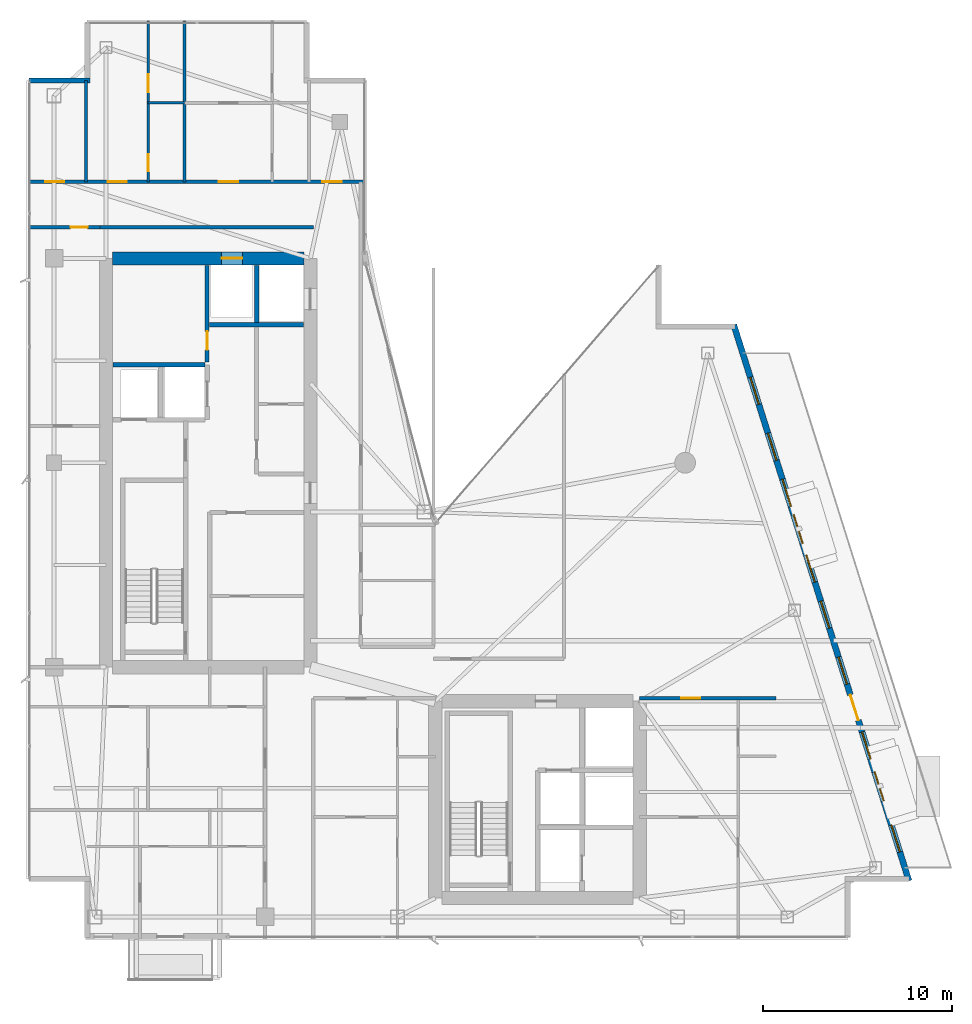
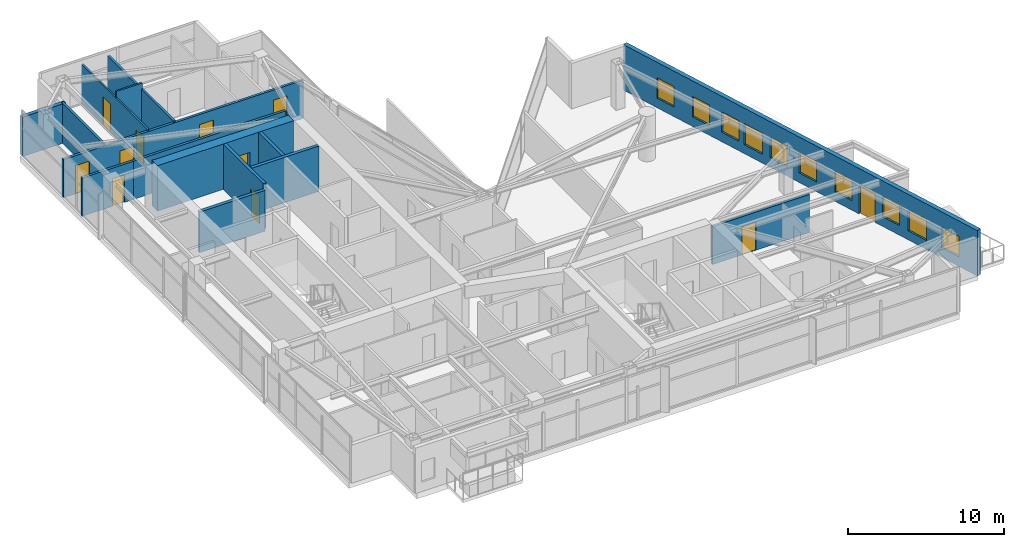
# One storey, part 25 of 28: 15 walls, 11 doors, 10 windows, 21 openings.
"""IFC4 building model written with IfcOpenShell, lengths in metres."""

import ifcopenshell
import ifcopenshell.guid

model = None  # the IFC model being written
_history = None  # IfcOwnerHistory: only IFC2X3 demands one
_inside = {}  # id of a spatial element -> (the spatial element, [elements in it])
_under = {}  # id of a project, library or spatial element -> (it, [spatial elements below it])
_declared = {}  # id of a project -> (the project, [libraries it declares])
_typed = {}  # id of a type object -> (the type object, [elements of that type])
_made_of = {}  # id of a material, layer set ... -> (it, [elements and type objects made of it])


def new_model(schema):
    """Start an empty IFC model of exactly this schema.

    Asked for "IFC4X3", IfcOpenShell would pick the latest addendum, in which some entities
    have other attributes; the version numbers below select the first issue.
    IFC2X3 requires an IfcOwnerHistory on every rooted entity: one is made here for all.
    """
    global model, _history
    if schema == "IFC4X3":
        model = ifcopenshell.file(schema_version=(4, 3, 0, 0))
    else:
        model = ifcopenshell.file(schema=schema)
    _inside.clear()
    _under.clear()
    _declared.clear()
    _typed.clear()
    _made_of.clear()
    _history = None
    if model.schema == "IFC2X3":
        org = make("IfcOrganization", Name="unknown")
        user = make(
            "IfcPersonAndOrganization",
            ThePerson=make("IfcPerson", FamilyName="unknown"),
            TheOrganization=org,
        )
        app = make(
            "IfcApplication",
            ApplicationDeveloper=org,
            Version="unknown",
            ApplicationFullName="unknown",
            ApplicationIdentifier="unknown",
        )
        _history = make(
            "IfcOwnerHistory",
            OwningUser=user,
            OwningApplication=app,
            ChangeAction="ADDED",
            CreationDate=0,
        )
    return model


def make(cls, **values):
    """One entity of the class cls with the attributes given. An attribute that is None is left unset."""
    return model.create_entity(
        cls, **{name: value for name, value in values.items() if value is not None}
    )


def rooted(cls, **values):
    """An entity with a GlobalId (a new one), such as an element, a storey or a relation."""
    return make(cls, GlobalId=ifcopenshell.guid.new(), OwnerHistory=_history, **values)


def si_unit(unit_type, name, prefix=None):
    """IfcSIUnit, for example si_unit("LENGTHUNIT", "METRE", prefix="MILLI")."""
    return make("IfcSIUnit", UnitType=unit_type, Prefix=prefix, Name=name)


def assignment(units):
    """IfcUnitAssignment: the units of a project."""
    return None if units is None else make("IfcUnitAssignment", Units=units)


def point(xyz):
    """IfcCartesianPoint."""
    return None if xyz is None else make("IfcCartesianPoint", Coordinates=xyz)


def direction(xyz):
    """IfcDirection."""
    return None if xyz is None else make("IfcDirection", DirectionRatios=xyz)


def frame(location, z_axis=None, x_axis=None):
    """IfcAxis2Placement3D, a coordinate frame: its origin and axes. An axis left out is left unset."""
    return make(
        "IfcAxis2Placement3D",
        Location=point(location),
        Axis=direction(z_axis),
        RefDirection=direction(x_axis),
    )


def frame_2d(location, x_axis=None):
    """IfcAxis2Placement2D, a coordinate frame in the plane: its origin and x axis."""
    return make(
        "IfcAxis2Placement2D", Location=point(location), RefDirection=direction(x_axis)
    )


def origin():
    """The frame at (0, 0, 0) with its axes left unset."""
    return frame((0.0, 0.0, 0.0))


def place(relative_to, where):
    """IfcLocalPlacement: puts the frame where relative to a parent placement (None: the world)."""
    return make(
        "IfcLocalPlacement", PlacementRelTo=relative_to, RelativePlacement=where
    )


def context(
    kind, dimensions, precision=None, world=None, true_north=None, identifier=None
):
    """IfcGeometricRepresentationContext, for example the 3D "Model" context."""
    return make(
        "IfcGeometricRepresentationContext",
        ContextIdentifier=identifier,
        ContextType=kind,
        CoordinateSpaceDimension=dimensions,
        Precision=precision,
        WorldCoordinateSystem=world,
        TrueNorth=true_north,
    )


def subcontext(parent, identifier, kind, view, scale=None):
    """IfcGeometricRepresentationSubContext, for example "Body" below "Model"."""
    return make(
        "IfcGeometricRepresentationSubContext",
        ContextIdentifier=identifier,
        ContextType=kind,
        ParentContext=parent,
        TargetScale=scale,
        TargetView=view,
    )


def project(units=None, contexts=None):
    """IfcProject with its units and contexts."""
    return rooted(
        "IfcProject",
        Name="project",
        RepresentationContexts=contexts,
        UnitsInContext=assignment(units),
    )


def spatial(cls, under=None, at=None, **own):
    """A site, building, storey or space (cls), placed at a placement, below another one or the project."""
    s = rooted(cls, ObjectPlacement=at, **own)
    if under is not None:
        _under.setdefault(under.id(), (under, []))[1].append(s)
    return s


def profile(cls, at=None, kind="AREA", **sizes):
    """A parametric profile (cls). Its sizes go by their IFC names, for example OverallWidth=200.0."""
    return make(cls, ProfileType=kind, Position=at, **sizes)


def rectangle(**sizes):
    """IfcRectangleProfileDef."""
    return profile("IfcRectangleProfileDef", **sizes)


def extrude(swept, where, along, depth):
    """IfcExtrudedAreaSolid: the profile swept, set in the frame where, extruded along a direction by depth."""
    return make(
        "IfcExtrudedAreaSolid",
        SweptArea=swept,
        Position=where,
        ExtrudedDirection=direction(along),
        Depth=depth,
    )


def shape(context_of_items, identifier, shape_type, items):
    """IfcShapeRepresentation: the items that make up one representation, for example the "Body"."""
    return make(
        "IfcShapeRepresentation",
        ContextOfItems=context_of_items,
        RepresentationIdentifier=identifier,
        RepresentationType=shape_type,
        Items=items,
    )


def material(Name=None, Category=None):
    """IfcMaterial."""
    return make("IfcMaterial", Name=Name, Category=Category)


def layer(
    of_material, thickness, ventilated=None, Name=None, Category=None, Priority=None
):
    """IfcMaterialLayer: one layer of a wall or slab, of a material (None: an air gap)."""
    return make(
        "IfcMaterialLayer",
        Material=of_material,
        LayerThickness=thickness,
        IsVentilated=ventilated,
        Name=Name,
        Category=Category,
        Priority=Priority,
    )


def layer_set(layers, Name=None):
    """IfcMaterialLayerSet."""
    return make("IfcMaterialLayerSet", MaterialLayers=layers, LayerSetName=Name)


def made_of(thing, what):
    """Note that an element or type object is made of a material, layer set ...; save() writes the relation."""
    if what is not None:
        _made_of.setdefault(what.id(), (what, []))[1].append(thing)
    return thing


def type_object(cls, material=None, **own):
    """A type object (cls), such as IfcWallType, which elements share."""
    return made_of(rooted(cls, **own), material)


def element(
    cls,
    number,
    at=None,
    inside=None,
    cuts=None,
    type_object=None,
    material=None,
    context=None,
    identifier="Body",
    shape_type=None,
    held_by="IfcProductDefinitionShape",
    body=None,
    shapes=None,
    **own,
):
    """One element of the class cls, such as IfcWall. Its Tag is "e" and its number.

    at: its placement. inside: the storey or other place that contains it. cuts: it is an
    opening in that element (IfcRelVoidsElement). A single representation is given by context,
    identifier, shape_type and body (its items); several are given by shapes. held_by: the class
    of the entity that holds the representations. save() writes the other relations.
    """
    e = rooted(cls, Tag="e%d" % number, ObjectPlacement=at, **own)
    if body is not None:
        shapes = [shape(context, identifier, shape_type, body)]
    if shapes is not None:
        e.Representation = make(held_by, Representations=shapes)
    if inside is not None:
        _inside.setdefault(inside.id(), (inside, []))[1].append(e)
    if cuts is not None:
        rooted(
            "IfcRelVoidsElement", RelatingBuildingElement=cuts, RelatedOpeningElement=e
        )
    if type_object is not None:
        _typed.setdefault(type_object.id(), (type_object, []))[1].append(e)
    return made_of(e, material)


def fill(opening, filler):
    """IfcRelFillsElement: the door or window that sits in an opening."""
    return rooted(
        "IfcRelFillsElement",
        RelatingOpeningElement=opening,
        RelatedBuildingElement=filler,
    )


def aggregate(whole, parts):
    """IfcRelAggregates: a whole, such as a stair, and the parts it consists of."""
    return rooted("IfcRelAggregates", RelatingObject=whole, RelatedObjects=parts)


def save(model, path):
    """Write the relations noted so far, then the file.

    IfcRelAggregates (storeys below a building ...), IfcRelContainedInSpatialStructure (elements
    in a storey), IfcRelDefinesByType, IfcRelAssociatesMaterial and IfcRelDeclares: one each for
    every whole, place, type object, material and project.
    """
    for whole, parts in _under.values():
        aggregate(whole, parts)
    for where, things in _inside.values():
        rooted(
            "IfcRelContainedInSpatialStructure",
            RelatedElements=things,
            RelatingStructure=where,
        )
    for kind, things in _typed.values():
        rooted("IfcRelDefinesByType", RelatedObjects=things, RelatingType=kind)
    for what, things in _made_of.values():
        rooted("IfcRelAssociatesMaterial", RelatedObjects=things, RelatingMaterial=what)
    for by, libraries in _declared.values():
        rooted("IfcRelDeclares", RelatingContext=by, RelatedDefinitions=libraries)
    model.write(path)


model = new_model("IFC4")

# Units and contexts
model_context = context("Model", 3, precision=1e-05, world=origin(), true_north=direction((0.0, 1.0)))
body_context = subcontext(model_context, "Body", "Model", "MODEL_VIEW")
ifc_project = project(units=[si_unit("LENGTHUNIT", "METRE"), si_unit("AREAUNIT", "SQUARE_METRE"), si_unit("VOLUMEUNIT", "CUBIC_METRE"), si_unit("PLANEANGLEUNIT", "RADIAN"), si_unit("MASSUNIT", "GRAM", prefix="KILO")], contexts=[model_context])

# Site, building, storey
site_placement = place(None, origin())
site = spatial("IfcSite", under=ifc_project, at=site_placement, CompositionType="ELEMENT")
building_placement = place(site_placement, origin())
building = spatial("IfcBuilding", under=site, at=building_placement, Name="Calvorn Quay Hotel", CompositionType="ELEMENT")
storey_placement = place(building_placement, frame((0.0, 0.0, 243.800048828125)))
storey = spatial("IfcBuildingStorey", under=building, at=storey_placement, Name="L60", CompositionType="ELEMENT", Elevation=243.800048828125)

# Wall, opening, door
ifc_material_1 = material(Name="Concrete C45", Category="concrete")
ifc_layer_1 = layer(ifc_material_1, 0.699951171875)
ifc_layer_set_1 = layer_set([ifc_layer_1], Name="WL-CORE-700")
wall_type_1 = type_object("IfcWallType", Name="WL-CORE-700", PredefinedType="SHEAR", material=ifc_layer_set_1)
wall_1_placement = place(storey_placement, frame((4.550048828125, 38.39990234375, 0.0), z_axis=(0.0, 0.0, 1.0), x_axis=(1.0, 0.0, 0.0)))
wall_1 = element("IfcWall", 1, at=wall_1_placement, inside=storey, type_object=wall_type_1, Name="West Core Shear Wall N (L60)", PredefinedType="SHEAR", context=body_context, shape_type="SweptSolid", body=[
    extrude(rectangle(XDim=10.099853515625, YDim=0.699951171875, at=frame_2d((5.0498046875, 0.0))), origin(), (0.0, 0.0, 1.0), 3.56005859375),
])
opening_1_placement = place(wall_1_placement, frame((5.75, 0.0, 0.0)))
opening_1 = element("IfcOpeningElement", 2, at=opening_1_placement, cuts=wall_1, Name="Opening LD-L60-H2", PredefinedType="OPENING", context=body_context, shape_type="SweptSolid", body=[
    extrude(rectangle(XDim=1.10009765625, YDim=2.199951171875, at=frame_2d((0.550048828125, 1.10009765625))), frame((0.0, 0.35986328125, 0.0), z_axis=(0.0, -1.0, 0.0), x_axis=(1.0, 0.0, 0.0)), (0.0, 0.0, 1.0), 0.719970703125),
])
ifc_material_2 = material(Name="Brushed Stainless Steel Sliding Lift Landing Door", Category="steel")
door_type_1 = type_object("IfcDoorType", Name="DR-LIFT-PASS-1100", OperationType="NOTDEFINED", PredefinedType="DOOR", material=ifc_material_2)
door_1_placement = place(opening_1_placement, origin())
door_1 = element("IfcDoor", 3, at=door_1_placement, inside=storey, type_object=door_type_1, Name="High-Rise Lift PL-H2 Landing Door (L60)", OperationType="DOUBLE_DOOR_SLIDING", OverallHeight=2.199951171875, OverallWidth=1.10009765625, PredefinedType="DOOR", context=body_context, shape_type="SweptSolid", body=[
    extrude(rectangle(XDim=1.10009765625, YDim=2.199951171875, at=frame_2d((0.550048828125, 1.10009765625))), frame((0.0, 0.02490234375, 0.0), z_axis=(0.0, -1.0, 0.0), x_axis=(1.0, 0.0, 0.0)), (0.0, 0.0, 1.0), 0.050048828125),
])
fill(opening_1, door_1)

ifc_material_3 = material(Name="Acoustic Fireboard Steel-Stud Partition", Category="steel")
ifc_layer_2 = layer(ifc_material_3, 0.179931640625)
ifc_layer_set_2 = layer_set([ifc_layer_2], Name="WL-CORR-FIRE-180")
wall_type_2 = type_object("IfcWallType", Name="WL-CORR-FIRE-180", PredefinedType="PARTITIONING", material=ifc_layer_set_2)
wall_2_placement = place(storey_placement, frame((0.080078125, 40.050048828125, 0.0), z_axis=(0.0, 0.0, 1.0), x_axis=(1.0, 0.0, 0.0)))
wall_2 = element("IfcWall", 4, at=wall_2_placement, inside=storey, type_object=wall_type_2, Name="Partition Wall L60-WL-WBAY-N-DOOR", PredefinedType="PARTITIONING", context=body_context, shape_type="SweptSolid", body=[
    extrude(rectangle(XDim=3.7998046875, YDim=0.179931640625, at=frame_2d((1.89990234375, 0.0))), origin(), (0.0, 0.0, 1.0), 2.989990234375),
])
opening_2_placement = place(wall_2_placement, frame((2.25, 0.0, 0.0)))
opening_2 = element("IfcOpeningElement", 5, at=opening_2_placement, cuts=wall_2, Name="Opening D-L60-WBN", PredefinedType="OPENING", context=body_context, shape_type="SweptSolid", body=[
    extrude(rectangle(XDim=0.89990234375, YDim=2.14990234375, at=frame_2d((0.449951171875, 1.074951171875))), frame((0.0, 0.099853515625, 0.0), z_axis=(0.0, -1.0, 0.0), x_axis=(1.0, 0.0, 0.0)), (0.0, 0.0, 1.0), 0.199951171875),
])
ifc_material_4 = material(Name="Moisture-Sealed Timber En-Suite Door", Category="wood")
door_type_2 = type_object("IfcDoorType", Name="DR-ENSUITE-900", OperationType="NOTDEFINED", PredefinedType="DOOR", material=ifc_material_4)
door_2_placement = place(opening_2_placement, origin())
door_2 = element("IfcDoor", 6, at=door_2_placement, inside=storey, type_object=door_type_2, Name="West North Bay Door (L60)", OperationType="SINGLE_SWING_LEFT", OverallHeight=2.14990234375, OverallWidth=0.89990234375, PredefinedType="DOOR", context=body_context, shape_type="SweptSolid", body=[
    extrude(rectangle(XDim=0.89990234375, YDim=2.14990234375, at=frame_2d((0.449951171875, 1.074951171875))), frame((0.0, 0.02490234375, 0.0), z_axis=(0.0, -1.0, 0.0), x_axis=(1.0, 0.0, 0.0)), (0.0, 0.0, 1.0), 0.050048828125),
])
fill(opening_2, door_2)

# Wall, openings, doors
wall_3_placement = place(storey_placement, frame((0.080078125, 42.449951171875, 0.0), z_axis=(0.0, 0.0, 1.0), x_axis=(1.0, 0.0, 0.0)))
wall_3 = element("IfcWall", 7, at=wall_3_placement, inside=storey, type_object=wall_type_2, Name="Partition Wall L60-WL-CORR-NW-N", PredefinedType="PARTITIONING", context=body_context, shape_type="SweptSolid", body=[
    extrude(rectangle(XDim=17.77001953125, YDim=0.179931640625, at=frame_2d((8.885009765625, 0.0))), origin(), (0.0, 0.0, 1.0), 2.989990234375),
])
opening_3_placement = place(wall_3_placement, frame((0.89990234375, 0.0, 0.0)))
opening_3 = element("IfcOpeningElement", 8, at=opening_3_placement, cuts=wall_3, Name="Opening D-L60-NWW", PredefinedType="OPENING", context=body_context, shape_type="SweptSolid", body=[
    extrude(rectangle(XDim=1.02001953125, YDim=2.199951171875, at=frame_2d((0.510009765625, 1.10009765625))), frame((0.0, 0.099853515625, 0.0), z_axis=(0.0, -1.0, 0.0), x_axis=(1.0, 0.0, 0.0)), (0.0, 0.0, 1.0), 0.199951171875),
])
opening_4_placement = place(wall_3_placement, frame((4.199951171875, 0.0, 0.0)))
opening_4 = element("IfcOpeningElement", 9, at=opening_4_placement, cuts=wall_3, Name="Opening D-L60-U04", PredefinedType="OPENING", context=body_context, shape_type="SweptSolid", body=[
    extrude(rectangle(XDim=1.02001953125, YDim=2.199951171875, at=frame_2d((0.510009765625, 1.10009765625))), frame((0.0, 0.099853515625, 0.0), z_axis=(0.0, -1.0, 0.0), x_axis=(1.0, 0.0, 0.0)), (0.0, 0.0, 1.0), 0.199951171875),
])
opening_5_placement = place(wall_3_placement, frame((10.080078125, 0.0, 0.0)))
opening_5 = element("IfcOpeningElement", 10, at=opening_5_placement, cuts=wall_3, Name="Opening D-L60-U05", PredefinedType="OPENING", context=body_context, shape_type="SweptSolid", body=[
    extrude(rectangle(XDim=1.02001953125, YDim=2.199951171875, at=frame_2d((0.510009765625, 1.10009765625))), frame((0.0, 0.099853515625, 0.0), z_axis=(0.0, -1.0, 0.0), x_axis=(1.0, 0.0, 0.0)), (0.0, 0.0, 1.0), 0.199951171875),
])
opening_6_placement = place(wall_3_placement, frame((15.550048828125, 0.0, 0.0)))
opening_6 = element("IfcOpeningElement", 11, at=opening_6_placement, cuts=wall_3, Name="Opening D-L60-NWE", PredefinedType="OPENING", context=body_context, shape_type="SweptSolid", body=[
    extrude(rectangle(XDim=1.02001953125, YDim=2.199951171875, at=frame_2d((0.510009765625, 1.10009765625))), frame((0.0, 0.099853515625, 0.0), z_axis=(0.0, -1.0, 0.0), x_axis=(1.0, 0.0, 0.0)), (0.0, 0.0, 1.0), 0.199951171875),
])
ifc_material_5 = material(Name="Solid-Core Walnut Veneer Hotel Fire Door")
door_type_3 = type_object("IfcDoorType", Name="DR-GUEST-ENTRY-1020", OperationType="NOTDEFINED", PredefinedType="DOOR", material=ifc_material_5)
door_3_placement = place(opening_3_placement, origin())
door_3 = element("IfcDoor", 12, at=door_3_placement, inside=storey, type_object=door_type_3, Name="West Corner Study Door (L60)", OperationType="SINGLE_SWING_LEFT", OverallHeight=2.199951171875, OverallWidth=1.02001953125, PredefinedType="DOOR", context=body_context, shape_type="SweptSolid", body=[
    extrude(rectangle(XDim=1.02001953125, YDim=2.199951171875, at=frame_2d((0.510009765625, 1.10009765625))), frame((0.0, 0.02490234375, 0.0), z_axis=(0.0, -1.0, 0.0), x_axis=(1.0, 0.0, 0.0)), (0.0, 0.0, 1.0), 0.050048828125),
])
fill(opening_3, door_3)
door_4_placement = place(opening_4_placement, origin())
door_4 = element("IfcDoor", 13, at=door_4_placement, inside=storey, type_object=door_type_3, Name="North-West Unit Door U04 (L60)", OperationType="SINGLE_SWING_RIGHT", OverallHeight=2.199951171875, OverallWidth=1.02001953125, PredefinedType="DOOR", context=body_context, shape_type="SweptSolid", body=[
    extrude(rectangle(XDim=1.02001953125, YDim=2.199951171875, at=frame_2d((0.510009765625, 1.10009765625))), frame((0.0, 0.02490234375, 0.0), z_axis=(0.0, -1.0, 0.0), x_axis=(1.0, 0.0, 0.0)), (0.0, 0.0, 1.0), 0.050048828125),
])
fill(opening_4, door_4)
door_5_placement = place(opening_5_placement, origin())
door_5 = element("IfcDoor", 14, at=door_5_placement, inside=storey, type_object=door_type_3, Name="North-West Unit Door U05 (L60)", OperationType="SINGLE_SWING_LEFT", OverallHeight=2.199951171875, OverallWidth=1.02001953125, PredefinedType="DOOR", context=body_context, shape_type="SweptSolid", body=[
    extrude(rectangle(XDim=1.02001953125, YDim=2.199951171875, at=frame_2d((0.510009765625, 1.10009765625))), frame((0.0, 0.02490234375, 0.0), z_axis=(0.0, -1.0, 0.0), x_axis=(1.0, 0.0, 0.0)), (0.0, 0.0, 1.0), 0.050048828125),
])
fill(opening_5, door_5)
door_6_placement = place(opening_6_placement, origin())
door_6 = element("IfcDoor", 15, at=door_6_placement, inside=storey, type_object=door_type_3, Name="Inner Court Study Door (L60)", OperationType="SINGLE_SWING_RIGHT", OverallHeight=2.199951171875, OverallWidth=1.02001953125, PredefinedType="DOOR", context=body_context, shape_type="SweptSolid", body=[
    extrude(rectangle(XDim=1.02001953125, YDim=2.199951171875, at=frame_2d((0.510009765625, 1.10009765625))), frame((0.0, 0.02490234375, 0.0), z_axis=(0.0, -1.0, 0.0), x_axis=(1.0, 0.0, 0.0)), (0.0, 0.0, 1.0), 0.050048828125),
])
fill(opening_6, door_6)

# Wall
wall_4_placement = place(storey_placement, frame((3.830078125, 40.050048828125, 0.0), z_axis=(0.0, 0.0, 1.0), x_axis=(1.0, 0.0, 0.0)))
element("IfcWall", 16, at=wall_4_placement, inside=storey, type_object=wall_type_2, Name="Partition Wall L60-WL-W-SPUR-S", PredefinedType="PARTITIONING", context=body_context, shape_type="SweptSolid", body=[
    extrude(rectangle(XDim=11.31982421875, YDim=0.179931640625, at=frame_2d((5.659912109375, 0.0))), origin(), (0.0, 0.0, 1.0), 2.989990234375),
])

# Wall, opening, door
wall_5_placement = place(storey_placement, frame((32.39990234375, 15.14990234375, 0.0), z_axis=(0.0, 0.0, 1.0), x_axis=(1.0, 0.0, 0.0)))
wall_5 = element("IfcWall", 17, at=wall_5_placement, inside=storey, type_object=wall_type_2, Name="Partition Wall L60-WL-CORR-SE-S", PredefinedType="PARTITIONING", context=body_context, shape_type="SweptSolid", body=[
    extrude(rectangle(XDim=7.2001953125, YDim=0.179931640625, at=frame_2d((3.60009765625, 0.0))), origin(), (0.0, 0.0, 1.0), 2.989990234375),
])
opening_7_placement = place(wall_5_placement, frame((2.18994140625, 0.0, 0.0)))
opening_7 = element("IfcOpeningElement", 18, at=opening_7_placement, cuts=wall_5, Name="Opening D-L60-U06", PredefinedType="OPENING", context=body_context, shape_type="SweptSolid", body=[
    extrude(rectangle(XDim=1.02001953125, YDim=2.199951171875, at=frame_2d((0.510009765625, 1.10009765625))), frame((0.0, 0.099853515625, 0.0), z_axis=(0.0, -1.0, 0.0), x_axis=(1.0, 0.0, 0.0)), (0.0, 0.0, 1.0), 0.199951171875),
])
door_7_placement = place(opening_7_placement, origin())
door_7 = element("IfcDoor", 19, at=door_7_placement, inside=storey, type_object=door_type_3, Name="South-East Unit Door U06 (L60)", OperationType="SINGLE_SWING_LEFT", OverallHeight=2.199951171875, OverallWidth=1.02001953125, PredefinedType="DOOR", context=body_context, shape_type="SweptSolid", body=[
    extrude(rectangle(XDim=1.02001953125, YDim=2.199951171875, at=frame_2d((0.510009765625, 1.10009765625))), frame((0.0, 0.02490234375, 0.0), z_axis=(0.0, -1.0, 0.0), x_axis=(1.0, 0.0, 0.0)), (0.0, 0.0, 1.0), 0.050048828125),
])
fill(opening_7, door_7)

# Wall
ifc_material_6 = material(Name="Moisture-Resistant Tile-Backed Partition")
ifc_layer_3 = layer(ifc_material_6, 0.125)
ifc_layer_set_3 = layer_set([ifc_layer_3], Name="WL-ENSUITE-125")
wall_type_3 = type_object("IfcWallType", Name="WL-ENSUITE-125", PredefinedType="PARTITIONING", material=ifc_layer_set_3)
wall_6_placement = place(storey_placement, frame((6.419921875, 46.6201171875, 0.0), z_axis=(0.0, 0.0, 1.0), x_axis=(1.0, 0.0, 0.0)))
element("IfcWall", 20, at=wall_6_placement, inside=storey, type_object=wall_type_3, Name="Partition Wall L60-WL-U04-BDV", PredefinedType="PARTITIONING", context=body_context, shape_type="SweptSolid", body=[
    extrude(rectangle(XDim=1.93017578125, YDim=0.125, at=frame_2d((0.965087890625, 0.0))), origin(), (0.0, 0.0, 1.0), 3.56005859375),
])

# Wall, openings, doors
wall_7_placement = place(storey_placement, frame((6.419921875, 42.449951171875, 0.0), z_axis=(0.0, 0.0, 1.0), x_axis=(0.0, 1.0, 0.0)))
wall_7 = element("IfcWall", 21, at=wall_7_placement, inside=storey, type_object=wall_type_3, Name="Partition Wall L60-WL-U04-BV", PredefinedType="PARTITIONING", context=body_context, shape_type="SweptSolid", body=[
    extrude(rectangle(XDim=8.489990234375, YDim=0.125, at=frame_2d((4.2451171875, 0.0))), origin(), (0.0, 0.0, 1.0), 3.08984375),
])
opening_8_placement = place(wall_7_placement, frame((0.550048828125, 0.0, 0.0)))
opening_8 = element("IfcOpeningElement", 22, at=opening_8_placement, cuts=wall_7, Name="Opening D-L60-E04", PredefinedType="OPENING", context=body_context, shape_type="SweptSolid", body=[
    extrude(rectangle(XDim=0.89990234375, YDim=2.14990234375, at=frame_2d((0.449951171875, 1.074951171875))), frame((0.0, 0.072509765625, 0.0), z_axis=(0.0, -1.0, 0.0), x_axis=(1.0, 0.0, 0.0)), (0.0, 0.0, 1.0), 0.14501953125),
])
opening_9_placement = place(wall_7_placement, frame((4.719970703125, 0.0, 0.0)))
opening_9 = element("IfcOpeningElement", 23, at=opening_9_placement, cuts=wall_7, Name="Opening D-L60-S04", PredefinedType="OPENING", context=body_context, shape_type="SweptSolid", body=[
    extrude(rectangle(XDim=0.9599609375, YDim=2.199951171875, at=frame_2d((0.47998046875, 1.10009765625))), frame((0.0, 0.072509765625, 0.0), z_axis=(0.0, -1.0, 0.0), x_axis=(1.0, 0.0, 0.0)), (0.0, 0.0, 1.0), 0.14501953125),
])
door_8_placement = place(opening_8_placement, origin())
door_8 = element("IfcDoor", 24, at=door_8_placement, inside=storey, type_object=door_type_2, Name="En-Suite Door 04", OperationType="SINGLE_SWING_LEFT", OverallHeight=2.14990234375, OverallWidth=0.89990234375, PredefinedType="DOOR", context=body_context, shape_type="SweptSolid", body=[
    extrude(rectangle(XDim=0.89990234375, YDim=2.14990234375, at=frame_2d((0.449951171875, 1.074951171875))), frame((0.0, 0.02490234375, 0.0), z_axis=(0.0, -1.0, 0.0), x_axis=(1.0, 0.0, 0.0)), (0.0, 0.0, 1.0), 0.050048828125),
])
fill(opening_8, door_8)
ifc_material_7 = material(Name="Solid Timber Internal Suite Door", Category="wood")
door_type_4 = type_object("IfcDoorType", Name="DR-SUITE-INT-960", OperationType="NOTDEFINED", PredefinedType="DOOR", material=ifc_material_7)
door_9_placement = place(opening_9_placement, origin())
door_9 = element("IfcDoor", 25, at=door_9_placement, inside=storey, type_object=door_type_4, Name="Private Media Cinema Door 04", OperationType="SINGLE_SWING_RIGHT", OverallHeight=2.199951171875, OverallWidth=0.9599609375, PredefinedType="DOOR", context=body_context, shape_type="SweptSolid", body=[
    extrude(rectangle(XDim=0.9599609375, YDim=2.199951171875, at=frame_2d((0.47998046875, 1.10009765625))), frame((0.0, 0.02490234375, 0.0), z_axis=(0.0, -1.0, 0.0), x_axis=(1.0, 0.0, 0.0)), (0.0, 0.0, 1.0), 0.050048828125),
])
fill(opening_9, door_9)

# Wall
ifc_material_8 = material(Name="Concrete C40", Category="concrete")
ifc_layer_4 = layer(ifc_material_8, 0.320068359375)
ifc_layer_set_4 = layer_set([ifc_layer_4], Name="WL-EXT-SPANDREL-320")
wall_type_4 = type_object("IfcWallType", Name="WL-EXT-SPANDREL-320", PredefinedType="SOLIDWALL", material=ifc_layer_set_4)
wall_8_placement = place(storey_placement, frame((3.340087890625, 47.800048828125, 0.0), z_axis=(0.0, 0.0, 1.0), x_axis=(-1.0, 0.0, 0.0)))
element("IfcWall", 26, at=wall_8_placement, inside=storey, type_object=wall_type_4, Name="Notched Corner Spandrel L60-NW2", PredefinedType="SOLIDWALL", context=body_context, shape_type="SweptSolid", body=[
    extrude(rectangle(XDim=3.219970703125, YDim=0.280029296875, at=frame_2d((1.60986328125, 0.0))), origin(), (0.0, 0.0, 1.0), 3.08984375),
])

# Wall, openings, door, windows
wall_9_placement = place(storey_placement, frame((46.6298828125, 5.5048828125, 0.0), z_axis=(0.0, 0.0, 1.0), x_axis=(-0.300501856448, 0.953781229775, 0.0)))
wall_9 = element("IfcWall", 27, at=wall_9_placement, inside=storey, type_object=wall_type_4, Name="East Stepped Waterfront Exterior Wall (L60)", PredefinedType="SOLIDWALL", context=body_context, shape_type="SweptSolid", body=[
    extrude(rectangle(XDim=30.814453125, YDim=0.320068359375, at=frame_2d((15.4072265625, 0.0))), origin(), (0.0, 0.0, 1.0), 3.56005859375),
])
opening_10_placement = place(wall_9_placement, frame((8.89990234375, 0.0, 0.0)))
opening_10 = element("IfcOpeningElement", 28, at=opening_10_placement, cuts=wall_9, Name="Opening DTR-L60", PredefinedType="OPENING", context=body_context, shape_type="SweptSolid", body=[
    extrude(rectangle(XDim=1.39990234375, YDim=2.25, at=frame_2d((0.699951171875, 1.125))), frame((0.0, 0.169921875, 0.0), z_axis=(0.0, -1.0, 0.0), x_axis=(1.0, 0.0, 0.0)), (0.0, 0.0, 1.0), 0.340087890625),
])
opening_11_placement = place(wall_9_placement, frame((4.43701171875, 0.0, 0.699951171875)))
opening_11 = element("IfcOpeningElement", 29, at=opening_11_placement, cuts=wall_9, Name="Opening WHD-L60-1", PredefinedType="OPENING", context=body_context, shape_type="SweptSolid", body=[
    extrude(rectangle(XDim=1.60009765625, YDim=1.64990234375, at=frame_2d((0.800048828125, 0.824951171875))), frame((0.0, 0.169921875, 0.0), z_axis=(0.0, -1.0, 0.0), x_axis=(1.0, 0.0, 0.0)), (0.0, 0.0, 1.0), 0.340087890625),
])
opening_12_placement = place(wall_9_placement, frame((18.696044921875, 0.0, 0.699951171875)))
opening_12 = element("IfcOpeningElement", 30, at=opening_12_placement, cuts=wall_9, Name="Opening WHD-L60-2", PredefinedType="OPENING", context=body_context, shape_type="SweptSolid", body=[
    extrude(rectangle(XDim=1.60009765625, YDim=1.64990234375, at=frame_2d((0.800048828125, 0.824951171875))), frame((0.0, 0.169921875, 0.0), z_axis=(0.0, -1.0, 0.0), x_axis=(1.0, 0.0, 0.0)), (0.0, 0.0, 1.0), 0.340087890625),
])
opening_13_placement = place(wall_9_placement, frame((1.60009765625, 0.0, 0.75)))
opening_13 = element("IfcOpeningElement", 31, at=opening_13_placement, cuts=wall_9, Name="Opening WG-L60-E1", PredefinedType="OPENING", context=body_context, shape_type="SweptSolid", body=[
    extrude(rectangle(XDim=1.5, YDim=1.60009765625, at=frame_2d((0.75, 0.800048828125))), frame((0.0, 0.169921875, 0.0), z_axis=(0.0, -1.0, 0.0), x_axis=(1.0, 0.0, 0.0)), (0.0, 0.0, 1.0), 0.340087890625),
])
opening_14_placement = place(wall_9_placement, frame((6.75, 0.0, 0.75)))
opening_14 = element("IfcOpeningElement", 32, at=opening_14_placement, cuts=wall_9, Name="Opening WG-L60-E2", PredefinedType="OPENING", context=body_context, shape_type="SweptSolid", body=[
    extrude(rectangle(XDim=1.5, YDim=1.60009765625, at=frame_2d((0.75, 0.800048828125))), frame((0.0, 0.169921875, 0.0), z_axis=(0.0, -1.0, 0.0), x_axis=(1.0, 0.0, 0.0)), (0.0, 0.0, 1.0), 0.340087890625),
])
opening_15_placement = place(wall_9_placement, frame((10.89990234375, 0.0, 0.75)))
opening_15 = element("IfcOpeningElement", 33, at=opening_15_placement, cuts=wall_9, Name="Opening WG-L60-E3", PredefinedType="OPENING", context=body_context, shape_type="SweptSolid", body=[
    extrude(rectangle(XDim=1.5, YDim=1.60009765625, at=frame_2d((0.75, 0.800048828125))), frame((0.0, 0.169921875, 0.0), z_axis=(0.0, -1.0, 0.0), x_axis=(1.0, 0.0, 0.0)), (0.0, 0.0, 1.0), 0.340087890625),
])
opening_16_placement = place(wall_9_placement, frame((14.0, 0.0, 0.75)))
opening_16 = element("IfcOpeningElement", 34, at=opening_16_placement, cuts=wall_9, Name="Opening WG-L60-E4", PredefinedType="OPENING", context=body_context, shape_type="SweptSolid", body=[
    extrude(rectangle(XDim=1.5, YDim=1.60009765625, at=frame_2d((0.75, 0.800048828125))), frame((0.0, 0.169921875, 0.0), z_axis=(0.0, -1.0, 0.0), x_axis=(1.0, 0.0, 0.0)), (0.0, 0.0, 1.0), 0.340087890625),
])
opening_17_placement = place(wall_9_placement, frame((16.550048828125, 0.0, 0.75)))
opening_17 = element("IfcOpeningElement", 35, at=opening_17_placement, cuts=wall_9, Name="Opening WG-L60-E5", PredefinedType="OPENING", context=body_context, shape_type="SweptSolid", body=[
    extrude(rectangle(XDim=1.5, YDim=1.60009765625, at=frame_2d((0.75, 0.800048828125))), frame((0.0, 0.169921875, 0.0), z_axis=(0.0, -1.0, 0.0), x_axis=(1.0, 0.0, 0.0)), (0.0, 0.0, 1.0), 0.340087890625),
])
opening_18_placement = place(wall_9_placement, frame((20.75, 0.0, 0.75)))
opening_18 = element("IfcOpeningElement", 36, at=opening_18_placement, cuts=wall_9, Name="Opening WG-L60-E6", PredefinedType="OPENING", context=body_context, shape_type="SweptSolid", body=[
    extrude(rectangle(XDim=1.5, YDim=1.60009765625, at=frame_2d((0.75, 0.800048828125))), frame((0.0, 0.169921875, 0.0), z_axis=(0.0, -1.0, 0.0), x_axis=(1.0, 0.0, 0.0)), (0.0, 0.0, 1.0), 0.340087890625),
])
opening_19_placement = place(wall_9_placement, frame((23.300048828125, 0.0, 0.75)))
opening_19 = element("IfcOpeningElement", 37, at=opening_19_placement, cuts=wall_9, Name="Opening WG-L60-E7", PredefinedType="OPENING", context=body_context, shape_type="SweptSolid", body=[
    extrude(rectangle(XDim=1.5, YDim=1.60009765625, at=frame_2d((0.75, 0.800048828125))), frame((0.0, 0.169921875, 0.0), z_axis=(0.0, -1.0, 0.0), x_axis=(1.0, 0.0, 0.0)), (0.0, 0.0, 1.0), 0.340087890625),
])
opening_20_placement = place(wall_9_placement, frame((26.39990234375, 0.0, 0.75)))
opening_20 = element("IfcOpeningElement", 38, at=opening_20_placement, cuts=wall_9, Name="Opening WG-L60-E8", PredefinedType="OPENING", context=body_context, shape_type="SweptSolid", body=[
    extrude(rectangle(XDim=1.5, YDim=1.60009765625, at=frame_2d((0.75, 0.800048828125))), frame((0.0, 0.169921875, 0.0), z_axis=(0.0, -1.0, 0.0), x_axis=(1.0, 0.0, 0.0)), (0.0, 0.0, 1.0), 0.340087890625),
])
ifc_material_9 = material(Name="Typhoon-Rated Low-E Aluminium Terrace Door", Category="aluminium")
door_type_5 = type_object("IfcDoorType", Name="DR-BALCONY-GLZ-1400", OperationType="NOTDEFINED", PredefinedType="DOOR", material=ifc_material_9)
door_10_placement = place(opening_10_placement, origin())
door_10 = element("IfcDoor", 39, at=door_10_placement, inside=storey, type_object=door_type_5, Name="Sawtooth Setback Terrace Door (L60)", OperationType="SINGLE_SWING_RIGHT", OverallHeight=2.25, OverallWidth=1.39990234375, PredefinedType="DOOR", context=body_context, shape_type="SweptSolid", body=[
    extrude(rectangle(XDim=1.39990234375, YDim=2.25, at=frame_2d((0.699951171875, 1.125))), frame((0.0, 0.02490234375, 0.0), z_axis=(0.0, -1.0, 0.0), x_axis=(1.0, 0.0, 0.0)), (0.0, 0.0, 1.0), 0.050048828125),
])
fill(opening_10, door_10)
ifc_material_10 = material(Name="Champagne-Bronze Aluminium Low-E Window", Category="aluminium")
window_type_1 = type_object("IfcWindowType", Name="WIN-GUEST-SIDE-1600x2100", PartitioningType="SINGLE_PANEL", PredefinedType="WINDOW", material=ifc_material_10)
window_1_placement = place(opening_11_placement, origin())
window_1 = element("IfcWindow", 40, at=window_1_placement, inside=storey, type_object=window_type_1, Name="Bay Hood Window L60-HOOD-1", OverallHeight=1.64990234375, OverallWidth=1.60009765625, PartitioningType="SINGLE_PANEL", PredefinedType="WINDOW", context=body_context, shape_type="SweptSolid", body=[
    extrude(rectangle(XDim=1.60009765625, YDim=1.64990234375, at=frame_2d((0.800048828125, 0.824951171875))), frame((0.0, 0.030029296875, 0.0), z_axis=(0.0, -1.0, 0.0), x_axis=(1.0, 0.0, 0.0)), (0.0, 0.0, 1.0), 0.06005859375),
])
fill(opening_11, window_1)
window_2_placement = place(opening_12_placement, origin())
window_2 = element("IfcWindow", 41, at=window_2_placement, inside=storey, type_object=window_type_1, Name="Bay Hood Window L60-HOOD-3", OverallHeight=1.64990234375, OverallWidth=1.60009765625, PartitioningType="SINGLE_PANEL", PredefinedType="WINDOW", context=body_context, shape_type="SweptSolid", body=[
    extrude(rectangle(XDim=1.60009765625, YDim=1.64990234375, at=frame_2d((0.800048828125, 0.824951171875))), frame((0.0, 0.030029296875, 0.0), z_axis=(0.0, -1.0, 0.0), x_axis=(1.0, 0.0, 0.0)), (0.0, 0.0, 1.0), 0.06005859375),
])
fill(opening_12, window_2)
ifc_material_11 = material(Name="Self-Closing Class B Fire Window")
window_type_2 = type_object("IfcWindowType", Name="WIN-REFUGE-1500x1600", PartitioningType="SINGLE_PANEL", PredefinedType="WINDOW", material=ifc_material_11)
window_3_placement = place(opening_13_placement, origin())
window_3 = element("IfcWindow", 42, at=window_3_placement, inside=storey, type_object=window_type_2, Name="East Facade Window L60-E1", OverallHeight=1.60009765625, OverallWidth=1.5, PartitioningType="SINGLE_PANEL", PredefinedType="WINDOW", context=body_context, shape_type="SweptSolid", body=[
    extrude(rectangle(XDim=1.5, YDim=1.60009765625, at=frame_2d((0.75, 0.800048828125))), frame((0.0, 0.030029296875, 0.0), z_axis=(0.0, -1.0, 0.0), x_axis=(1.0, 0.0, 0.0)), (0.0, 0.0, 1.0), 0.06005859375),
])
fill(opening_13, window_3)
window_4_placement = place(opening_14_placement, origin())
window_4 = element("IfcWindow", 43, at=window_4_placement, inside=storey, type_object=window_type_2, Name="East Facade Window L60-E2", OverallHeight=1.60009765625, OverallWidth=1.5, PartitioningType="SINGLE_PANEL", PredefinedType="WINDOW", context=body_context, shape_type="SweptSolid", body=[
    extrude(rectangle(XDim=1.5, YDim=1.60009765625, at=frame_2d((0.75, 0.800048828125))), frame((0.0, 0.030029296875, 0.0), z_axis=(0.0, -1.0, 0.0), x_axis=(1.0, 0.0, 0.0)), (0.0, 0.0, 1.0), 0.06005859375),
])
fill(opening_14, window_4)
window_5_placement = place(opening_15_placement, origin())
window_5 = element("IfcWindow", 44, at=window_5_placement, inside=storey, type_object=window_type_2, Name="East Facade Window L60-E3", OverallHeight=1.60009765625, OverallWidth=1.5, PartitioningType="SINGLE_PANEL", PredefinedType="WINDOW", context=body_context, shape_type="SweptSolid", body=[
    extrude(rectangle(XDim=1.5, YDim=1.60009765625, at=frame_2d((0.75, 0.800048828125))), frame((0.0, 0.030029296875, 0.0), z_axis=(0.0, -1.0, 0.0), x_axis=(1.0, 0.0, 0.0)), (0.0, 0.0, 1.0), 0.06005859375),
])
fill(opening_15, window_5)
window_6_placement = place(opening_16_placement, origin())
window_6 = element("IfcWindow", 45, at=window_6_placement, inside=storey, type_object=window_type_2, Name="East Facade Window L60-E4", OverallHeight=1.60009765625, OverallWidth=1.5, PartitioningType="SINGLE_PANEL", PredefinedType="WINDOW", context=body_context, shape_type="SweptSolid", body=[
    extrude(rectangle(XDim=1.5, YDim=1.60009765625, at=frame_2d((0.75, 0.800048828125))), frame((0.0, 0.030029296875, 0.0), z_axis=(0.0, -1.0, 0.0), x_axis=(1.0, 0.0, 0.0)), (0.0, 0.0, 1.0), 0.06005859375),
])
fill(opening_16, window_6)
window_7_placement = place(opening_17_placement, origin())
window_7 = element("IfcWindow", 46, at=window_7_placement, inside=storey, type_object=window_type_2, Name="East Facade Window L60-E5", OverallHeight=1.60009765625, OverallWidth=1.5, PartitioningType="SINGLE_PANEL", PredefinedType="WINDOW", context=body_context, shape_type="SweptSolid", body=[
    extrude(rectangle(XDim=1.5, YDim=1.60009765625, at=frame_2d((0.75, 0.800048828125))), frame((0.0, 0.030029296875, 0.0), z_axis=(0.0, -1.0, 0.0), x_axis=(1.0, 0.0, 0.0)), (0.0, 0.0, 1.0), 0.06005859375),
])
fill(opening_17, window_7)
window_8_placement = place(opening_18_placement, origin())
window_8 = element("IfcWindow", 47, at=window_8_placement, inside=storey, type_object=window_type_2, Name="East Facade Window L60-E6", OverallHeight=1.60009765625, OverallWidth=1.5, PartitioningType="SINGLE_PANEL", PredefinedType="WINDOW", context=body_context, shape_type="SweptSolid", body=[
    extrude(rectangle(XDim=1.5, YDim=1.60009765625, at=frame_2d((0.75, 0.800048828125))), frame((0.0, 0.030029296875, 0.0), z_axis=(0.0, -1.0, 0.0), x_axis=(1.0, 0.0, 0.0)), (0.0, 0.0, 1.0), 0.06005859375),
])
fill(opening_18, window_8)
window_9_placement = place(opening_19_placement, origin())
window_9 = element("IfcWindow", 48, at=window_9_placement, inside=storey, type_object=window_type_2, Name="East Facade Window L60-E7", OverallHeight=1.60009765625, OverallWidth=1.5, PartitioningType="SINGLE_PANEL", PredefinedType="WINDOW", context=body_context, shape_type="SweptSolid", body=[
    extrude(rectangle(XDim=1.5, YDim=1.60009765625, at=frame_2d((0.75, 0.800048828125))), frame((0.0, 0.030029296875, 0.0), z_axis=(0.0, -1.0, 0.0), x_axis=(1.0, 0.0, 0.0)), (0.0, 0.0, 1.0), 0.06005859375),
])
fill(opening_19, window_9)
window_10_placement = place(opening_20_placement, origin())
window_10 = element("IfcWindow", 49, at=window_10_placement, inside=storey, type_object=window_type_2, Name="East Facade Window L60-E8", OverallHeight=1.60009765625, OverallWidth=1.5, PartitioningType="SINGLE_PANEL", PredefinedType="WINDOW", context=body_context, shape_type="SweptSolid", body=[
    extrude(rectangle(XDim=1.5, YDim=1.60009765625, at=frame_2d((0.75, 0.800048828125))), frame((0.0, 0.030029296875, 0.0), z_axis=(0.0, -1.0, 0.0), x_axis=(1.0, 0.0, 0.0)), (0.0, 0.0, 1.0), 0.06005859375),
])
fill(opening_20, window_10)

# Walls
ifc_material_12 = material(Name="Double-Stud Acoustic Gypsum Partition")
ifc_layer_5 = layer(ifc_material_12, 0.159912109375)
ifc_layer_set_5 = layer_set([ifc_layer_5], Name="WL-INTERSUITE-160")
wall_type_5 = type_object("IfcWallType", Name="WL-INTERSUITE-160", PredefinedType="PARTITIONING", material=ifc_layer_set_5)
wall_10_placement = place(storey_placement, frame((3.14990234375, 42.449951171875, 0.0), z_axis=(0.0, 0.0, 1.0), x_axis=(0.0, 1.0, 0.0)))
element("IfcWall", 50, at=wall_10_placement, inside=storey, type_object=wall_type_5, Name="Partition Wall L60-WL-NW-DIV-W0", PredefinedType="PARTITIONING", context=body_context, shape_type="SweptSolid", body=[
    extrude(rectangle(XDim=5.35009765625, YDim=0.159912109375, at=frame_2d((2.675048828125, 0.0))), origin(), (0.0, 0.0, 1.0), 3.139892578125),
])
wall_11_placement = place(storey_placement, frame((8.35009765625, 42.449951171875, 0.0), z_axis=(0.0, 0.0, 1.0), x_axis=(0.0, 1.0, 0.0)))
element("IfcWall", 51, at=wall_11_placement, inside=storey, type_object=wall_type_5, Name="Partition Wall L60-WL-NW-DIV-1", PredefinedType="PARTITIONING", context=body_context, shape_type="SweptSolid", body=[
    extrude(rectangle(XDim=8.489990234375, YDim=0.159912109375, at=frame_2d((4.2451171875, 0.0))), origin(), (0.0, 0.0, 1.0), 3.08984375),
])

# Wall, opening, door
ifc_material_13 = material(Name="Autoclaved Aerated Masonry Block", Category="masonry")
ifc_layer_6 = layer(ifc_material_13, 0.219970703125)
ifc_layer_set_6 = layer_set([ifc_layer_6], Name="WL-LOBBY-FIRE-220")
wall_type_6 = type_object("IfcWallType", Name="WL-LOBBY-FIRE-220", PredefinedType="SOLIDWALL", material=ifc_layer_set_6)
wall_12_placement = place(storey_placement, frame((9.5400390625, 32.919921875, 0.0), z_axis=(0.0, 0.0, 1.0), x_axis=(0.0, 1.0, 0.0)))
wall_12 = element("IfcWall", 52, at=wall_12_placement, inside=storey, type_object=wall_type_6, Name="Partition Wall L60-WL-CWW-K-E", PredefinedType="SOLIDWALL", context=body_context, shape_type="SweptSolid", body=[
    extrude(rectangle(XDim=5.110107421875, YDim=0.219970703125, at=frame_2d((2.55517578125, 0.0))), origin(), (0.0, 0.0, 1.0), 3.56005859375),
])
opening_21_placement = place(wall_12_placement, frame((0.64990234375, 0.0, 0.0)))
opening_21 = element("IfcOpeningElement", 53, at=opening_21_placement, cuts=wall_12, Name="Opening D-L60-CK1", PredefinedType="OPENING", context=body_context, shape_type="SweptSolid", body=[
    extrude(rectangle(XDim=0.97998046875, YDim=2.14990234375, at=frame_2d((0.489990234375, 1.074951171875))), frame((0.0, 0.119873046875, 0.0), z_axis=(0.0, -1.0, 0.0), x_axis=(1.0, 0.0, 0.0)), (0.0, 0.0, 1.0), 0.239990234375),
])
ifc_material_14 = material(Name="Painted Steel Housekeeping/Riser Fire Door", Category="steel")
door_type_6 = type_object("IfcDoorType", Name="DR-SERVICE-980", OperationType="NOTDEFINED", PredefinedType="DOOR", material=ifc_material_14)
door_11_placement = place(opening_21_placement, origin())
door_11 = element("IfcDoor", 54, at=door_11_placement, inside=storey, type_object=door_type_6, Name="Core Linen Room Door (L60)", OperationType="SINGLE_SWING_LEFT", OverallHeight=2.14990234375, OverallWidth=0.97998046875, PredefinedType="DOOR", context=body_context, shape_type="SweptSolid", body=[
    extrude(rectangle(XDim=0.97998046875, YDim=2.14990234375, at=frame_2d((0.489990234375, 1.074951171875))), frame((0.0, 0.02490234375, 0.0), z_axis=(0.0, -1.0, 0.0), x_axis=(1.0, 0.0, 0.0)), (0.0, 0.0, 1.0), 0.050048828125),
])
fill(opening_21, door_11)

# Walls
ifc_material_15 = material(Name="Concrete C40", Category="concrete")
ifc_layer_7 = layer(ifc_material_15, 0.239990234375)
ifc_layer_set_7 = layer_set([ifc_layer_7], Name="WL-SHAFT-240")
wall_type_7 = type_object("IfcWallType", Name="WL-SHAFT-240", PredefinedType="SOLIDWALL", material=ifc_layer_set_7)
wall_13_placement = place(storey_placement, frame((4.570068359375, 32.780029296875, 0.0), z_axis=(0.0, 0.0, 1.0), x_axis=(1.0, 0.0, 0.0)))
element("IfcWall", 55, at=wall_13_placement, inside=storey, type_object=wall_type_7, Name="Partition Wall L60-WL-CWW-SLW-N", PredefinedType="SOLIDWALL", context=body_context, shape_type="SweptSolid", body=[
    extrude(rectangle(XDim=4.849853515625, YDim=0.239990234375, at=frame_2d((2.4248046875, 0.0))), origin(), (0.0, 0.0, 1.0), 3.18994140625),
])
wall_14_placement = place(storey_placement, frame((9.659912109375, 34.89990234375, 0.0), z_axis=(0.0, 0.0, 1.0), x_axis=(1.0, 0.0, 0.0)))
element("IfcWall", 56, at=wall_14_placement, inside=storey, type_object=wall_type_7, Name="Partition Wall L60-WL-CWW-PLH-S", PredefinedType="SOLIDWALL", context=body_context, shape_type="SweptSolid", body=[
    extrude(rectangle(XDim=4.969970703125, YDim=0.239990234375, at=frame_2d((2.48486328125, 0.0))), origin(), (0.0, 0.0, 1.0), 3.56005859375),
])
wall_15_placement = place(storey_placement, frame((12.14990234375, 35.02001953125, 0.0), z_axis=(0.0, 0.0, 1.0), x_axis=(0.0, 1.0, 0.0)))
element("IfcWall", 57, at=wall_15_placement, inside=storey, type_object=wall_type_7, Name="Partition Wall L60-WL-CWW-PLH-DIV", PredefinedType="SOLIDWALL", context=body_context, shape_type="SweptSolid", body=[
    extrude(rectangle(XDim=3.010009765625, YDim=0.239990234375, at=frame_2d((1.5048828125, 0.0))), origin(), (0.0, 0.0, 1.0), 3.56005859375),
])

save(model, "model.ifc")
